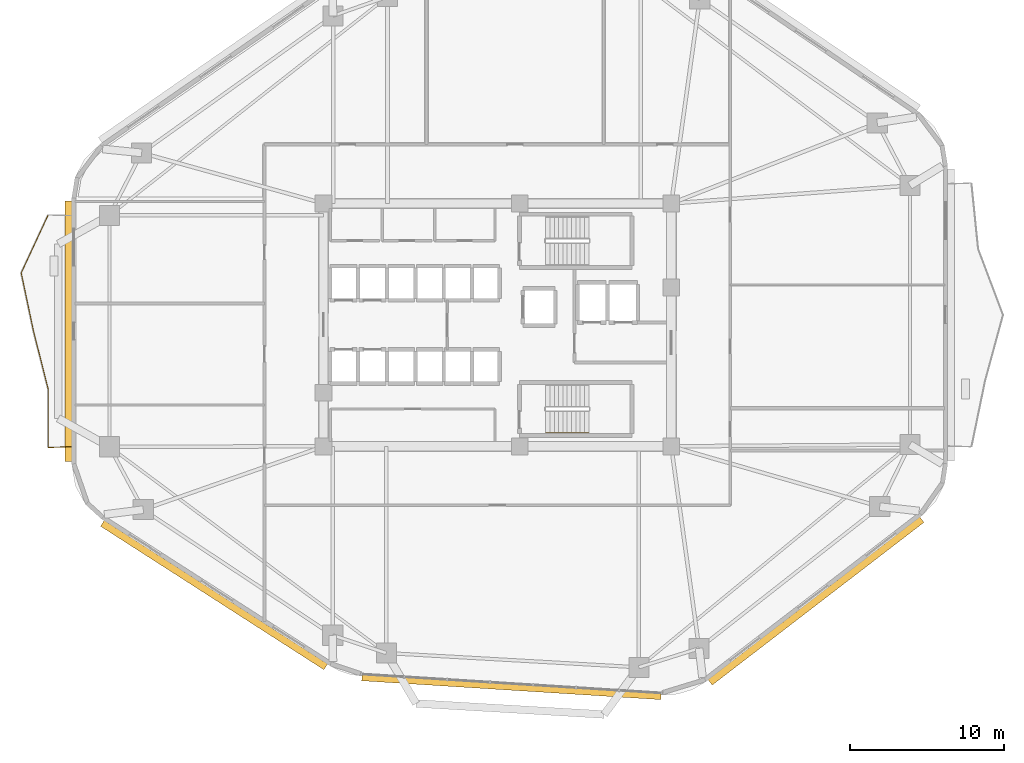
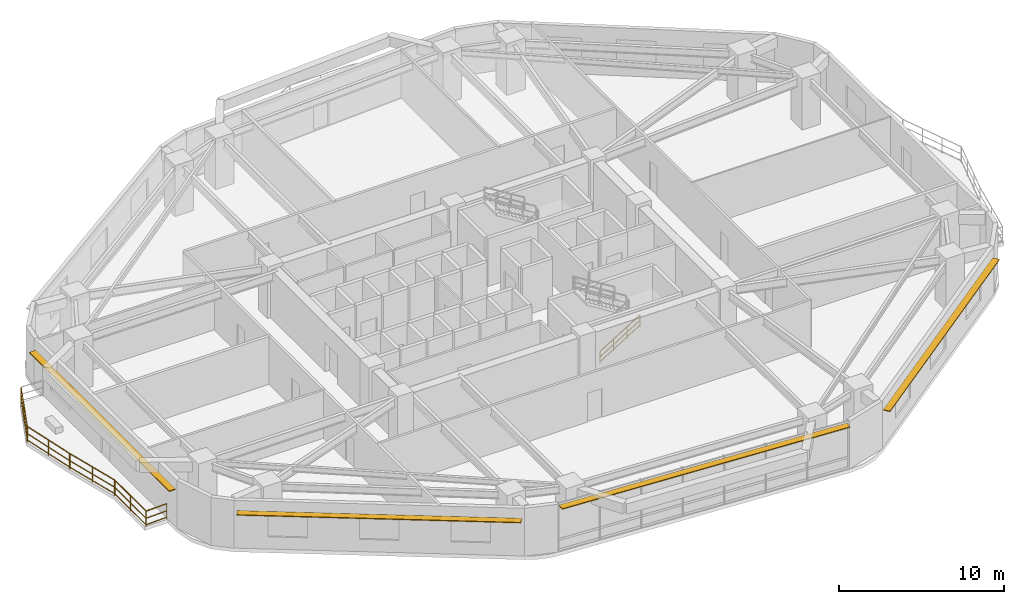
# One storey, part 11 of 13: 6 railings, 4 shading devices.
"""IFC4 building model written with IfcOpenShell, lengths in metres."""

from ifc_helpers import new_model, si_unit, direction, frame, origin, origin_2d, place, context, subcontext, project, spatial, rectangle, extrude, material, layer, layer_set, type_object, element, save


model = new_model("IFC4")

# Units and contexts
model_context = context("Model", 3, precision=1e-05, world=origin(), true_north=direction((0.0, 1.0)))
body_context = subcontext(model_context, "Body", "Model", "MODEL_VIEW")
ifc_project = project(units=[si_unit("LENGTHUNIT", "METRE"), si_unit("AREAUNIT", "SQUARE_METRE"), si_unit("VOLUMEUNIT", "CUBIC_METRE"), si_unit("PLANEANGLEUNIT", "RADIAN"), si_unit("MASSUNIT", "GRAM", prefix="KILO")], contexts=[model_context])

# Site, building, storey
site_placement = place(None, origin())
site = spatial("IfcSite", under=ifc_project, at=site_placement, CompositionType="ELEMENT")
building_placement = place(site_placement, origin())
building = spatial("IfcBuilding", under=site, at=building_placement, Name="Zulverin Broadcast Headquarters", CompositionType="ELEMENT")
storey_placement = place(building_placement, frame((0.0, 0.0, 47.800048828125)))
storey = spatial("IfcBuildingStorey", under=building, at=storey_placement, Name="L11", CompositionType="ELEMENT", Elevation=47.800048828125)

# Railings
ifc_material_1 = material(Name="Brushed stainless steel & laminated glass balustrade", Category="steel")
railing_type_1 = type_object("IfcRailingType", Name="RL-GUARD-1150", PredefinedType="GUARDRAIL", material=ifc_material_1)
railing_1_placement = place(storey_placement, frame((7.873779296875, 32.330810546875, 0.0)))
element("IfcRailing", 1, at=railing_1_placement, inside=storey, type_object=railing_type_1, Name="L11 Vertical-Forest Balcony Guardrail BAL_W Segment 02", PredefinedType="GUARDRAIL", context=body_context, shape_type="SweptSolid", body=[
    extrude(rectangle(XDim=0.048095703125, YDim=0.048095703125, at=origin_2d()), frame((0.0, 0.0, 1.1259765625), z_axis=(-0.421368161314, -0.906889669492, 0.0), x_axis=(0.906889669492, -0.421368161314, 0.0)), (0.0, 0.0, 1.0), 4.1328125),
    extrude(rectangle(XDim=0.0419921875, YDim=0.0419921875, at=origin_2d()), frame((0.0, 0.0, 0.597900390625), z_axis=(-0.421368161314, -0.906889669492, 0.0), x_axis=(0.906889669492, -0.421368161314, 0.0)), (0.0, 0.0, 1.0), 4.1328125),
    extrude(rectangle(XDim=0.0419921875, YDim=0.0419921875, at=origin_2d()), frame((0.0, 0.0, 0.1201171875), z_axis=(-0.421368161314, -0.906889669492, 0.0), x_axis=(0.906889669492, -0.421368161314, 0.0)), (0.0, 0.0, 1.0), 4.1328125),
    extrude(rectangle(XDim=0.0419921875, YDim=0.0419921875, at=origin_2d()), origin(), (0.0, 0.0, 1.0), 1.101806640625),
    extrude(rectangle(XDim=0.0419921875, YDim=0.0419921875, at=origin_2d()), frame((-0.87060546875, -1.8740234375, 0.0)), (0.0, 0.0, 1.0), 1.101806640625),
    extrude(rectangle(XDim=0.0419921875, YDim=0.0419921875, at=origin_2d()), frame((-1.741455078125, -3.748046875, 0.0)), (0.0, 0.0, 1.0), 1.101806640625),
])
railing_2_placement = place(storey_placement, frame((6.129150390625, 28.554443359375, 0.0)))
element("IfcRailing", 2, at=railing_2_placement, inside=storey, type_object=railing_type_1, Name="L11 Vertical-Forest Balcony Guardrail BAL_W Segment 03", PredefinedType="GUARDRAIL", context=body_context, shape_type="SweptSolid", body=[
    extrude(rectangle(XDim=0.048095703125, YDim=0.048095703125, at=origin_2d()), frame((0.0, 0.0, 1.1259765625), z_axis=(0.206614649403, -0.978422396847, 0.0), x_axis=(0.978422396847, 0.206614649403, 0.0)), (0.0, 0.0, 1.0), 3.828369140625),
    extrude(rectangle(XDim=0.0419921875, YDim=0.0419921875, at=origin_2d()), frame((0.0, 0.0, 0.597900390625), z_axis=(0.206614649403, -0.978422396847, 0.0), x_axis=(0.978422396847, 0.206614649403, 0.0)), (0.0, 0.0, 1.0), 3.828369140625),
    extrude(rectangle(XDim=0.0419921875, YDim=0.0419921875, at=origin_2d()), frame((0.0, 0.0, 0.1201171875), z_axis=(0.206614649403, -0.978422396847, 0.0), x_axis=(0.978422396847, 0.206614649403, 0.0)), (0.0, 0.0, 1.0), 3.828369140625),
    extrude(rectangle(XDim=0.0419921875, YDim=0.0419921875, at=origin_2d()), origin(), (0.0, 0.0, 1.0), 1.101806640625),
    extrude(rectangle(XDim=0.0419921875, YDim=0.0419921875, at=origin_2d()), frame((0.3955078125, -1.873046875, 0.0)), (0.0, 0.0, 1.0), 1.101806640625),
    extrude(rectangle(XDim=0.0419921875, YDim=0.0419921875, at=origin_2d()), frame((0.791015625, -3.745849609375, 0.0)), (0.0, 0.0, 1.0), 1.101806640625),
])
railing_3_placement = place(storey_placement, frame((6.927001953125, 24.779541015625, 0.0)))
element("IfcRailing", 3, at=railing_3_placement, inside=storey, type_object=railing_type_1, Name="L11 Vertical-Forest Balcony Guardrail BAL_W Segment 04", PredefinedType="GUARDRAIL", context=body_context, shape_type="SweptSolid", body=[
    extrude(rectangle(XDim=0.048095703125, YDim=0.048095703125, at=origin_2d()), frame((0.0, 0.0, 1.1259765625), z_axis=(0.245611234444, -0.969368413718, 0.0), x_axis=(0.969368413718, 0.245611234444, 0.0)), (0.0, 0.0, 1.0), 3.86474609375),
    extrude(rectangle(XDim=0.0419921875, YDim=0.0419921875, at=origin_2d()), frame((0.0, 0.0, 0.597900390625), z_axis=(0.245611234444, -0.969368413718, 0.0), x_axis=(0.969368413718, 0.245611234444, 0.0)), (0.0, 0.0, 1.0), 3.86474609375),
    extrude(rectangle(XDim=0.0419921875, YDim=0.0419921875, at=origin_2d()), frame((0.0, 0.0, 0.1201171875), z_axis=(0.245611234444, -0.969368413718, 0.0), x_axis=(0.969368413718, 0.245611234444, 0.0)), (0.0, 0.0, 1.0), 3.86474609375),
    extrude(rectangle(XDim=0.0419921875, YDim=0.0419921875, at=origin_2d()), origin(), (0.0, 0.0, 1.0), 1.101806640625),
    extrude(rectangle(XDim=0.0419921875, YDim=0.0419921875, at=origin_2d()), frame((0.474609375, -1.873046875, 0.0)), (0.0, 0.0, 1.0), 1.101806640625),
    extrude(rectangle(XDim=0.0419921875, YDim=0.0419921875, at=origin_2d()), frame((0.94921875, -3.746337890625, 0.0)), (0.0, 0.0, 1.0), 1.101806640625),
])
railing_4_placement = place(storey_placement, frame((7.8798828125, 21.00390625, 0.0)))
element("IfcRailing", 4, at=railing_4_placement, inside=storey, type_object=railing_type_1, Name="L11 Vertical-Forest Balcony Guardrail BAL_W Segment 05", PredefinedType="GUARDRAIL", context=body_context, shape_type="SweptSolid", body=[
    extrude(rectangle(XDim=0.048095703125, YDim=0.048095703125, at=origin_2d()), frame((0.0, 0.0, 1.1259765625), z_axis=(0.0, -1.0, 0.0), x_axis=(1.0, 0.0, 0.0)), (0.0, 0.0, 1.0), 3.745361328125),
    extrude(rectangle(XDim=0.0419921875, YDim=0.0419921875, at=origin_2d()), frame((0.0, 0.0, 0.597900390625), z_axis=(0.0, -1.0, 0.0), x_axis=(1.0, 0.0, 0.0)), (0.0, 0.0, 1.0), 3.745361328125),
    extrude(rectangle(XDim=0.0419921875, YDim=0.0419921875, at=origin_2d()), frame((0.0, 0.0, 0.1201171875), z_axis=(0.0, -1.0, 0.0), x_axis=(1.0, 0.0, 0.0)), (0.0, 0.0, 1.0), 3.745361328125),
    extrude(rectangle(XDim=0.0419921875, YDim=0.0419921875, at=origin_2d()), origin(), (0.0, 0.0, 1.0), 1.101806640625),
    extrude(rectangle(XDim=0.0419921875, YDim=0.0419921875, at=origin_2d()), frame((0.0, -1.87255859375, 0.0)), (0.0, 0.0, 1.0), 1.101806640625),
    extrude(rectangle(XDim=0.0419921875, YDim=0.0419921875, at=origin_2d()), frame((0.0, -3.745361328125, 0.0)), (0.0, 0.0, 1.0), 1.101806640625),
])
railing_5_placement = place(storey_placement, frame((7.89501953125, 17.244140625, 0.0)))
element("IfcRailing", 5, at=railing_5_placement, inside=storey, type_object=railing_type_1, Name="L11 Vertical-Forest Balcony Guardrail BAL_W Segment 06", PredefinedType="GUARDRAIL", context=body_context, shape_type="SweptSolid", body=[
    extrude(rectangle(XDim=0.048095703125, YDim=0.048095703125, at=origin_2d()), frame((0.0, 0.0, 1.1259765625), z_axis=(0.999174410196, 0.040626321628, 0.0), x_axis=(-0.040626321628, 0.999174410196, 0.0)), (0.0, 0.0, 1.0), 1.46630859375),
    extrude(rectangle(XDim=0.0419921875, YDim=0.0419921875, at=origin_2d()), frame((0.0, 0.0, 0.597900390625), z_axis=(0.999174410196, 0.040626321628, 0.0), x_axis=(-0.040626321628, 0.999174410196, 0.0)), (0.0, 0.0, 1.0), 1.46630859375),
    extrude(rectangle(XDim=0.0419921875, YDim=0.0419921875, at=origin_2d()), frame((0.0, 0.0, 0.1201171875), z_axis=(0.999174410196, 0.040626321628, 0.0), x_axis=(-0.040626321628, 0.999174410196, 0.0)), (0.0, 0.0, 1.0), 1.46630859375),
    extrude(rectangle(XDim=0.0419921875, YDim=0.0419921875, at=origin_2d()), origin(), (0.0, 0.0, 1.0), 1.101806640625),
    extrude(rectangle(XDim=0.0419921875, YDim=0.0419921875, at=origin_2d()), frame((1.465087890625, 0.0595703125, 0.0)), (0.0, 0.0, 1.0), 1.101806640625),
])
ifc_material_2 = material(Name="Brushed stainless steel 48 mm handrail", Category="steel")
railing_type_2 = type_object("IfcRailingType", Name="RL-ST-HAND", PredefinedType="HANDRAIL", material=ifc_material_2)
railing_6_placement = place(storey_placement, frame((40.1298828125, 18.199951171875, 0.172607421875)))
element("IfcRailing", 6, at=railing_6_placement, inside=storey, type_object=railing_type_2, Name="L11 ST-2 stair handrail 1", PredefinedType="HANDRAIL", context=body_context, shape_type="SweptSolid", body=[
    extrude(rectangle(XDim=0.048095703125, YDim=0.048095703125, at=origin_2d()), frame((0.0, 0.0, 0.8759765625), z_axis=(0.851089632645, 0.0, 0.525020415988), x_axis=(0.0, 1.0, 0.0)), (0.0, 0.0, 1.0), 3.2900390625),
    extrude(rectangle(XDim=0.0419921875, YDim=0.0419921875, at=origin_2d()), frame((0.0, 0.0, 0.468017578125), z_axis=(0.851089632645, 0.0, 0.525020415988), x_axis=(0.0, 1.0, 0.0)), (0.0, 0.0, 1.0), 3.2900390625),
    extrude(rectangle(XDim=0.0419921875, YDim=0.0419921875, at=origin_2d()), frame((0.0, 0.0, 0.1201171875), z_axis=(0.851089632645, 0.0, 0.525020415988), x_axis=(0.0, 1.0, 0.0)), (0.0, 0.0, 1.0), 3.2900390625),
    extrude(rectangle(XDim=0.0419921875, YDim=0.0419921875, at=origin_2d()), origin(), (0.0, 0.0, 1.0), 0.851806640625),
    extrude(rectangle(XDim=0.0419921875, YDim=0.0419921875, at=origin_2d()), frame((0.933349609375, 0.0, 0.57568359375)), (0.0, 0.0, 1.0), 0.851806640625),
    extrude(rectangle(XDim=0.0419921875, YDim=0.0419921875, at=origin_2d()), frame((1.86669921875, 0.0, 1.151611328125)), (0.0, 0.0, 1.0), 0.851806640625),
    extrude(rectangle(XDim=0.0419921875, YDim=0.0419921875, at=origin_2d()), frame((2.800048828125, 0.0, 1.727294921875)), (0.0, 0.0, 1.0), 0.851806640625),
])

# Shading devices
ifc_material_3 = material(Name="Anodized pale-metal aluminium sunshade", Category="aluminium")
ifc_layer = layer(ifc_material_3, 0.06005859375, Name="Anodized pale-metal aluminium sunshade", Category="aluminium")
ifc_layer_set = layer_set([ifc_layer], Name="Anodized pale-metal aluminium sunshade")
shading_device_type = type_object("IfcShadingDeviceType", Name="SS-01_PALE_METAL_ALUMINIUM_SUNSHADE", PredefinedType="USERDEFINED", material=ifc_layer_set)
shading_device_1_placement = place(storey_placement, frame((37.91650390625, 1.735595703125, 3.294921875), z_axis=(0.0, 0.0, 1.0), x_axis=(0.998017182581, -0.062942062821, 0.0)))
element("IfcShadingDevice", 7, at=shading_device_1_placement, inside=storey, type_object=shading_device_type, Name="L11 Pale-Metal Horizontal Sunshade Band CW-L11-E1", ObjectType="SUNSHADE", PredefinedType="USERDEFINED", context=body_context, shape_type="SweptSolid", body=[
    extrude(rectangle(XDim=19.43701171875, YDim=0.449951171875, at=origin_2d()), origin(), (0.0, 0.0, 1.0), 0.06005859375),
])
shading_device_2_placement = place(storey_placement, frame((57.658447265625, 7.29833984375, 2.7099609375), z_axis=(0.0, 0.0, 1.0), x_axis=(0.792933468586, 0.609308226102, 0.0)))
element("IfcShadingDevice", 8, at=shading_device_2_placement, inside=storey, type_object=shading_device_type, Name="L11 Horizontal Pale-Metal Sunshade Band 2", ObjectType="SUNSHADE", PredefinedType="USERDEFINED", context=body_context, shape_type="SweptSolid", body=[
    extrude(rectangle(XDim=17.312744140625, YDim=0.449951171875, at=origin_2d()), origin(), (0.0, 0.0, 1.0), 0.06005859375),
])
shading_device_3_placement = place(storey_placement, frame((9.199951171875, 24.7939453125, 2.7099609375), z_axis=(0.0, 0.0, 1.0), x_axis=(0.0, -1.0, 0.0)))
element("IfcShadingDevice", 9, at=shading_device_3_placement, inside=storey, type_object=shading_device_type, Name="L11 Horizontal Pale-Metal Sunshade Band 7", ObjectType="SUNSHADE", PredefinedType="USERDEFINED", context=body_context, shape_type="SweptSolid", body=[
    extrude(rectangle(XDim=16.90087890625, YDim=0.449951171875, at=origin_2d()), origin(), (0.0, 0.0, 1.0), 0.06005859375),
])
shading_device_4_placement = place(storey_placement, frame((18.6298828125, 7.681640625, 2.7099609375), z_axis=(0.0, 0.0, 1.0), x_axis=(0.841296678234, -0.540573676007, 0.0)))
element("IfcShadingDevice", 10, at=shading_device_4_placement, inside=storey, type_object=shading_device_type, Name="L11 Horizontal Pale-Metal Sunshade Band 8", ObjectType="SUNSHADE", PredefinedType="USERDEFINED", context=body_context, shape_type="SweptSolid", body=[
    extrude(rectangle(XDim=17.2119140625, YDim=0.449951171875, at=origin_2d()), origin(), (0.0, 0.0, 1.0), 0.06005859375),
])

save(model, "model.ifc")
